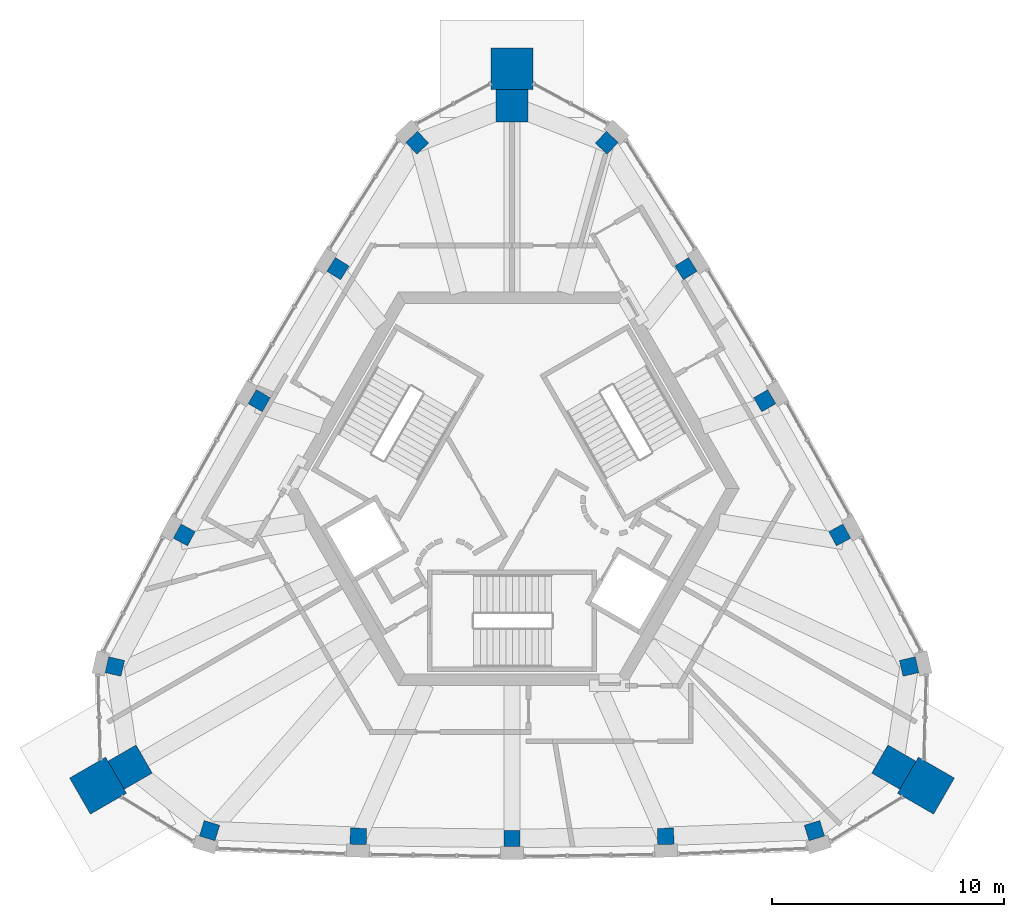
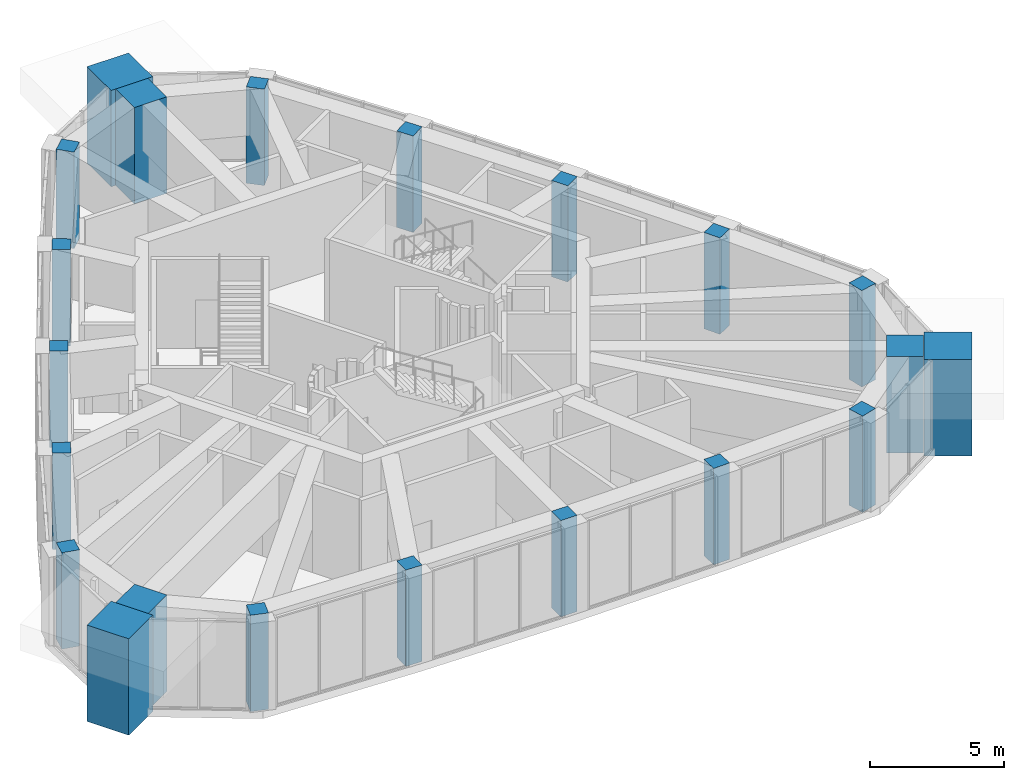
# One storey, part 1 of 11: 21 columns.
"""IFC4 building model written with IfcOpenShell, lengths in metres."""

from ifc_helpers import new_model, si_unit, direction, frame, origin, origin_2d, place, context, subcontext, project, spatial, rectangle, extrude, material, material_profile, profile_set, type_object, element, save


model = new_model("IFC4")

# Units and contexts
model_context = context("Model", 3, precision=1e-05, world=origin(), true_north=direction((0.0, 1.0)))
body_context = subcontext(model_context, "Body", "Model", "MODEL_VIEW")
ifc_project = project(units=[si_unit("LENGTHUNIT", "METRE"), si_unit("AREAUNIT", "SQUARE_METRE"), si_unit("VOLUMEUNIT", "CUBIC_METRE"), si_unit("PLANEANGLEUNIT", "RADIAN"), si_unit("MASSUNIT", "GRAM", prefix="KILO")], contexts=[model_context])

# Site, building, storey
site_placement = place(None, origin())
site = spatial("IfcSite", under=ifc_project, at=site_placement, CompositionType="ELEMENT")
building_placement = place(site_placement, origin())
building = spatial("IfcBuilding", under=site, at=building_placement, Name="Entoto Arch Interchange Tower", CompositionType="ELEMENT")
storey_placement = place(building_placement, frame((0.0, 0.0, 353.89990234375)))
storey = spatial("IfcBuildingStorey", under=building, at=storey_placement, Name="L83", CompositionType="ELEMENT", Elevation=353.89990234375)

# Columns
ifc_material_1 = material(Name="Concrete C40/50", Category="concrete")
ifc_material_profile_1 = material_profile(ifc_material_1, rectangle(XDim=0.699951171875, YDim=0.699951171875, at=origin_2d()))
ifc_profile_set_1 = profile_set([ifc_material_profile_1], Name="Concrete C40/50")
column_type_1 = type_object("IfcColumnType", Name="Column RC 700x700 C40/50", PredefinedType="COLUMN", material=ifc_profile_set_1)
for number, where, z_axis, x_axis, name in (
    (1, (-13.055908203125, -12.260986328125, -0.349853515625), (0.0, 0.0, 1.0), (-0.956141315658, 0.292905760428, 0.0), "Column S01 L83"),
    (2, (-6.634033203125, -12.506103515625, -0.349853515625), (0.0, 0.0, 1.0), (-0.999597836772, 0.028357798245, 0.0), "Column S02 L83"),
    (3, (0.0, -12.60009765625, -0.349853515625), (0.0, 0.0, 1.0), (1.0, 0.0, 0.0), "Column S03 L83"),
    (4, (6.634033203125, -12.506103515625, -0.349853515625), (0.0, 0.0, 1.0), (0.999597836772, 0.028357798245, 0.0), "Column S04 L83"),
    (5, (13.055908203125, -12.260986328125, -0.349853515625), (0.0, 0.0, 1.0), (0.956141315658, 0.292905760428, 0.0), "Column S05 L83"),
    (6, (17.14697265625, -5.176025390625, -0.349853515625), (0.0, 0.0, 1.0), (-0.224406828383, 0.974495549182, 0.0), "Column NE01 L83"),
    (7, (14.14892578125, 0.5048828125, -0.349853515625), (0.0, 0.0, 1.0), (-0.475224988253, 0.87986431371, 0.0), "Column NE02 L83"),
    (8, (10.912109375, 6.300048828125, -0.349853515625), (0.0, 0.0, 1.0), (-0.5, 0.866025403784, 0.0), "Column NE03 L83"),
    (9, (7.511962890625, 12.0009765625, -0.349853515625), (0.0, 0.0, 1.0), (-0.524372353429, 0.851489069195, 0.0), "Column NE04 L83"),
    (10, (4.091064453125, 17.43701171875, -0.349853515625), (0.0, 0.0, 1.0), (-0.731734487274, 0.681589788754, 0.0), "Column NE05 L83"),
    (11, (-4.091064453125, 17.43701171875, -0.349853515625), (0.0, 0.0, 1.0), (0.731734487274, 0.681589788754, 0.0), "Column NW01 L83"),
    (12, (-7.511962890625, 12.0009765625, -0.349853515625), (0.0, 0.0, 1.0), (0.524372353429, 0.851489069195, 0.0), "Column NW02 L83"),
    (13, (-10.912109375, 6.300048828125, -0.349853515625), (0.0, 0.0, 1.0), (0.5, 0.866025403784, 0.0), "Column NW03 L83"),
    (14, (-14.14892578125, 0.5048828125, -0.349853515625), (0.0, 0.0, 1.0), (0.475224988253, 0.87986431371, 0.0), "Column NW04 L83"),
    (15, (-17.14697265625, -5.176025390625, -0.349853515625), (0.0, 0.0, 1.0), (0.224406828383, 0.974495549182, 0.0), "Column NW05 L83"),
):
    element("IfcColumn", number, at=place(storey_placement, frame(where, z_axis=z_axis, x_axis=x_axis)), inside=storey, type_object=column_type_1, Name=name, PredefinedType="COLUMN", context=body_context, shape_type="SweptSolid", body=[
        extrude(rectangle(XDim=0.699951171875, YDim=0.699951171875, at=origin_2d()), origin(), (0.0, 0.0, 1.0), 4.39990234375),
    ])
ifc_material_2 = material(Name="Precast concrete C40/50", Category="concrete")
ifc_material_profile_2 = material_profile(ifc_material_2, rectangle(XDim=1.800048828125, YDim=1.800048828125, at=origin_2d()))
ifc_profile_set_2 = profile_set([ifc_material_profile_2], Name="Precast concrete C40/50")
column_type_2 = type_object("IfcColumnType", Name="Frame post RC 1800x1800 precast C40/50", PredefinedType="COLUMN", material=ifc_profile_set_2)
for number, where, z_axis, x_axis, name in (
    (16, (17.8720703125, -10.319091796875, -0.349853515625), (0.0, 0.0, 1.0), (-0.866025403784, 0.5, 0.0), "Frame post SE L83"),
    (17, (0.0, 20.636962890625, -0.349853515625), (0.0, 0.0, 1.0), (0.0, 1.0, 0.0), "Frame post N L83"),
    (18, (-17.8720703125, -10.319091796875, -0.349853515625), (0.0, 0.0, 1.0), (0.866025403784, 0.5, 0.0), "Frame post SW L83"),
):
    element("IfcColumn", number, at=place(storey_placement, frame(where, z_axis=z_axis, x_axis=x_axis)), inside=storey, type_object=column_type_2, Name=name, PredefinedType="COLUMN", context=body_context, shape_type="SweptSolid", body=[
        extrude(rectangle(XDim=1.800048828125, YDim=1.800048828125, at=origin_2d()), origin(), (0.0, 0.0, 1.0), 4.39990234375),
    ])
ifc_material_profile_3 = material_profile(ifc_material_1, rectangle(XDim=1.39990234375, YDim=1.39990234375, at=origin_2d()))
ifc_profile_set_3 = profile_set([ifc_material_profile_3], Name="Concrete C40/50")
column_type_3 = type_object("IfcColumnType", Name="Mega column RC 1400x1400 C40/50", PredefinedType="COLUMN", material=ifc_profile_set_3)
for number, where, z_axis, x_axis, name in (
    (19, (16.486083984375, -9.51904296875, -0.349853515625), (0.0, 0.0, 1.0), (-0.866025403784, 0.5, 0.0), "Corner mega column SE1 L83"),
    (20, (0.0, 19.037109375, -0.349853515625), (0.0, 0.0, 1.0), (0.0, 1.0, 0.0), "Corner mega column N1 L83"),
    (21, (-16.486083984375, -9.51904296875, -0.349853515625), (0.0, 0.0, 1.0), (0.866025403784, 0.5, 0.0), "Corner mega column SW1 L83"),
):
    element("IfcColumn", number, at=place(storey_placement, frame(where, z_axis=z_axis, x_axis=x_axis)), inside=storey, type_object=column_type_3, Name=name, PredefinedType="COLUMN", context=body_context, shape_type="SweptSolid", body=[
        extrude(rectangle(XDim=1.39990234375, YDim=1.39990234375, at=origin_2d()), origin(), (0.0, 0.0, 1.0), 4.39990234375),
    ])

save(model, "model.ifc")
